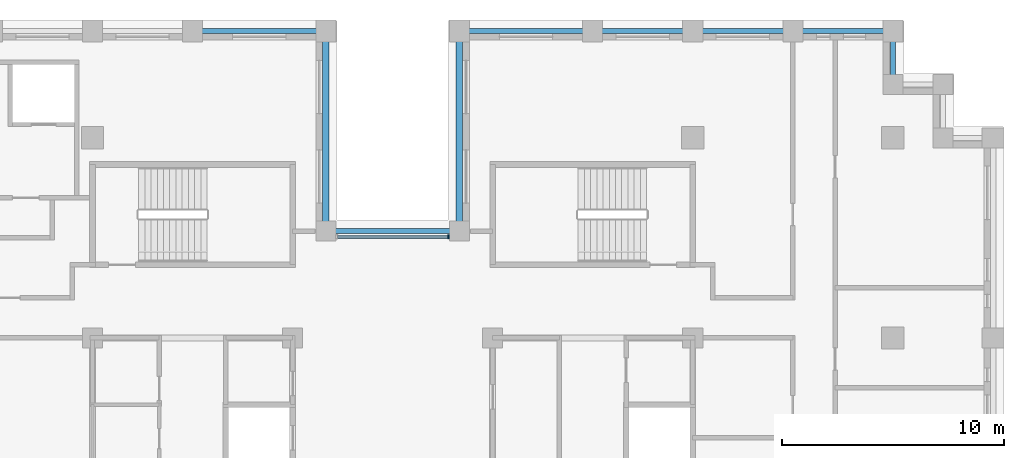
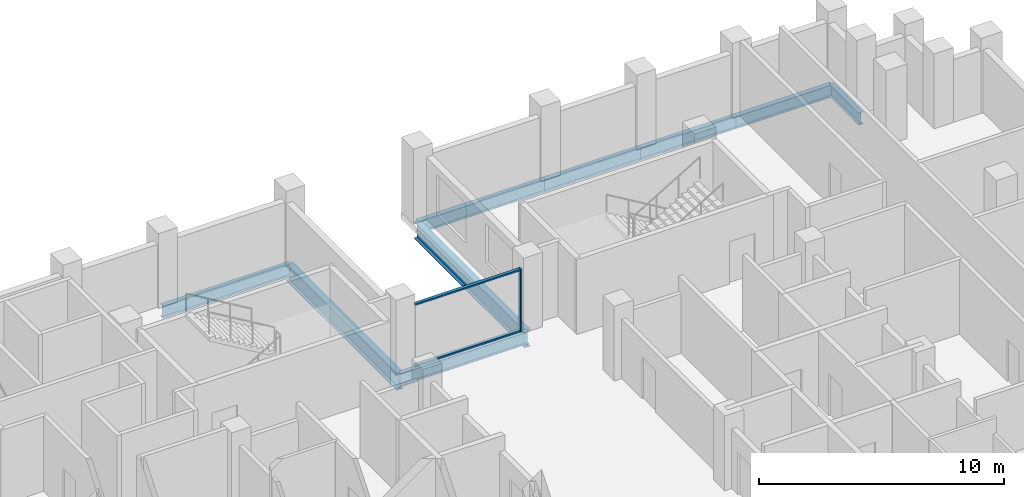
# One storey, part 4 of 15: 9 beams, 3 members, 1 element without a shape of its own.
"""IFC4 building model written with IfcOpenShell, lengths in metres."""

from ifc_helpers import new_model, si_unit, direction, frame, origin, origin_2d, place, context, subcontext, project, spatial, rectangle, i_section, extrude, material, layer, layer_set, material_profile, profile_set, type_object, element, aggregate, save


model = new_model("IFC4")

# Units and contexts
model_context = context("Model", 3, precision=1e-05, world=origin(), true_north=direction((0.0, 1.0)))
body_context = subcontext(model_context, "Body", "Model", "MODEL_VIEW")
ifc_project = project(units=[si_unit("LENGTHUNIT", "METRE"), si_unit("AREAUNIT", "SQUARE_METRE"), si_unit("VOLUMEUNIT", "CUBIC_METRE"), si_unit("PLANEANGLEUNIT", "RADIAN"), si_unit("MASSUNIT", "GRAM", prefix="KILO")], contexts=[model_context])

# Site, building, storey
site_placement = place(None, origin())
site = spatial("IfcSite", under=ifc_project, at=site_placement, CompositionType="ELEMENT")
building_placement = place(site_placement, origin())
building = spatial("IfcBuilding", under=site, at=building_placement, Name="Corbelhall Arena Tower", CompositionType="ELEMENT")
storey_placement = place(building_placement, frame((0.0, 0.0, 192.0)))
storey = spatial("IfcBuildingStorey", under=building, at=storey_placement, Name="L39", CompositionType="ELEMENT", Elevation=192.0)

# Curtain wall, members
ifc_material_1 = material(Name="Aluminium black anodised", Category="aluminium")
ifc_layer = layer(ifc_material_1, 0.199951171875)
ifc_layer_set = layer_set([ifc_layer], Name="EV-CW1 Slot back wall")
curtain_wall_type = type_object("IfcCurtainWallType", Name="EV-CW1 Slot back wall", PredefinedType="NOTDEFINED", material=ifc_layer_set)
curtain_wall_placement = place(storey_placement, origin())
curtain_wall = element("IfcCurtainWall", 1, at=curtain_wall_placement, inside=storey, type_object=curtain_wall_type, Name="Curtain wall CW1", PredefinedType="NOTDEFINED")
ifc_material_profile_1 = material_profile(ifc_material_1, rectangle(XDim=0.199951171875, YDim=0.074951171875, at=origin_2d()))
ifc_profile_set_1 = profile_set([ifc_material_profile_1], Name="Aluminium black anodised")
member_type_1 = type_object("IfcMemberType", Name="EV-CW1-MULLION", PredefinedType="MULLION", material=ifc_profile_set_1)
member_1_placement = place(storey_placement, frame((2.512451171875, 13.550048828125, 0.0), z_axis=(0.0, 0.0, 1.0), x_axis=(0.0, -1.0, 0.0)))
member_1 = element("IfcMember", 2, at=member_1_placement, type_object=member_type_1, Name="CW1 mullion 1", PredefinedType="MULLION", context=body_context, shape_type="SweptSolid", body=[
    extrude(rectangle(XDim=0.199951171875, YDim=0.074951171875, at=origin_2d()), origin(), (0.0, 0.0, 1.0), 3.1201171875),
])
ifc_material_profile_2 = material_profile(ifc_material_1, rectangle(XDim=0.14990234375, YDim=0.074951171875, at=origin_2d()))
ifc_profile_set_2 = profile_set([ifc_material_profile_2], Name="Aluminium black anodised")
member_type_2 = type_object("IfcMemberType", Name="EV-CW1-TRANSOM", PredefinedType="USERDEFINED", material=ifc_profile_set_2)
member_2_placement = place(storey_placement, frame((2.47509765625, 13.550048828125, 0.03759765625), z_axis=(-1.0, 0.0, 0.0), x_axis=(0.0, -1.0, 0.0)))
member_2 = element("IfcMember", 3, at=member_2_placement, type_object=member_type_2, Name="CW1 transom 1.1", ObjectType="transom", PredefinedType="USERDEFINED", context=body_context, shape_type="SweptSolid", body=[
    extrude(rectangle(XDim=0.14990234375, YDim=0.074951171875, at=origin_2d()), origin(), (0.0, 0.0, 1.0), 4.9501953125),
])
member_3_placement = place(storey_placement, frame((2.47509765625, 13.550048828125, 3.08251953125), z_axis=(-1.0, 0.0, 0.0), x_axis=(0.0, -1.0, 0.0)))
member_3 = element("IfcMember", 4, at=member_3_placement, type_object=member_type_2, Name="CW1 transom 1.2", ObjectType="transom", PredefinedType="USERDEFINED", context=body_context, shape_type="SweptSolid", body=[
    extrude(rectangle(XDim=0.14990234375, YDim=0.074951171875, at=origin_2d()), origin(), (0.0, 0.0, 1.0), 4.9501953125),
])
aggregate(curtain_wall, [member_1, member_2, member_3])

# Beams
ifc_material_2 = material(Name="Steel ASTM A992 Gr50", Category="steel")
ifc_material_profile_3 = material_profile(ifc_material_2, i_section(OverallWidth=0.228271484375, OverallDepth=0.607177734375, WebThickness=0.01123046875, FlangeThickness=0.017333984375, at=origin_2d()))
ifc_profile_set_3 = profile_set([ifc_material_profile_3], Name="Steel ASTM A992 Gr50")
beam_type_1 = type_object("IfcBeamType", Name="ST-SPANDREL-W24x76", PredefinedType="SPANDREL", material=ifc_profile_set_3)
beam_1_placement = place(storey_placement, frame((3.0, 22.800048828125, -0.58349609375), z_axis=(1.0, 0.0, 0.0), x_axis=(0.0, 1.0, 0.0)))
element("IfcBeam", 5, at=beam_1_placement, inside=storey, type_object=beam_type_1, Name="Beam SP 13", PredefinedType="SPANDREL", context=body_context, shape_type="SweptSolid", body=[
    extrude(i_section(OverallWidth=0.228271484375, OverallDepth=0.607177734375, WebThickness=0.01123046875, FlangeThickness=0.017333984375, at=origin_2d()), origin(), (0.0, 0.0, 1.0), 6.0),
])
for number, where, z_axis, x_axis, name in (
    (6, (9.0, 22.800048828125, -0.58349609375), (1.0, 0.0, 0.0), (0.0, 1.0, 0.0), "Beam SP 14"),
    (7, (13.5, 22.800048828125, -0.58349609375), (1.0, 0.0, 0.0), (0.0, 1.0, 0.0), "Beam SP 15"),
    (8, (18.0, 22.800048828125, -0.58349609375), (1.0, 0.0, 0.0), (0.0, 1.0, 0.0), "Beam SP 16"),
):
    element("IfcBeam", number, at=place(storey_placement, frame(where, z_axis=z_axis, x_axis=x_axis)), inside=storey, type_object=beam_type_1, Name=name, PredefinedType="SPANDREL", context=body_context, shape_type="SweptSolid", body=[
        extrude(i_section(OverallWidth=0.228271484375, OverallDepth=0.607177734375, WebThickness=0.01123046875, FlangeThickness=0.017333984375, at=origin_2d()), origin(), (0.0, 0.0, 1.0), 4.5),
    ])
beam_2_placement = place(storey_placement, frame((22.5, 22.800048828125, -0.58349609375), z_axis=(0.0, -1.0, 0.0), x_axis=(1.0, 0.0, 0.0)))
element("IfcBeam", 9, at=beam_2_placement, inside=storey, type_object=beam_type_1, Name="Beam SP 17", PredefinedType="SPANDREL", context=body_context, shape_type="SweptSolid", body=[
    extrude(i_section(OverallWidth=0.228271484375, OverallDepth=0.607177734375, WebThickness=0.01123046875, FlangeThickness=0.017333984375, at=origin_2d()), origin(), (0.0, 0.0, 1.0), 2.400146484375),
])
for number, where, z_axis, x_axis, name in (
    (10, (-9.0, 22.800048828125, -0.58349609375), (1.0, 0.0, 0.0), (0.0, 1.0, 0.0), "Beam SP 19"),
    (11, (-3.0, 13.800048828125, -0.58349609375), (1.0, 0.0, 0.0), (0.0, 1.0, 0.0), "Beam SP 36"),
):
    element("IfcBeam", number, at=place(storey_placement, frame(where, z_axis=z_axis, x_axis=x_axis)), inside=storey, type_object=beam_type_1, Name=name, PredefinedType="SPANDREL", context=body_context, shape_type="SweptSolid", body=[
        extrude(i_section(OverallWidth=0.228271484375, OverallDepth=0.607177734375, WebThickness=0.01123046875, FlangeThickness=0.017333984375, at=origin_2d()), origin(), (0.0, 0.0, 1.0), 6.0),
    ])
ifc_material_profile_4 = material_profile(ifc_material_2, i_section(OverallWidth=0.2919921875, OverallDepth=0.845703125, WebThickness=0.015380859375, FlangeThickness=0.0244140625, at=origin_2d()))
ifc_profile_set_4 = profile_set([ifc_material_profile_4], Name="Steel ASTM A992 Gr50")
beam_type_2 = type_object("IfcBeamType", Name="ST-SPANDREL-W33x141", PredefinedType="SPANDREL", material=ifc_profile_set_4)
for number, where, z_axis, x_axis, name in (
    (12, (-3.0, 22.800048828125, -0.702880859375), (0.0, -1.0, 0.0), (1.0, 0.0, 0.0), "Beam SP 18"),
    (13, (3.0, 13.800048828125, -0.702880859375), (0.0, 1.0, 0.0), (-1.0, 0.0, 0.0), "Beam SP 35"),
):
    element("IfcBeam", number, at=place(storey_placement, frame(where, z_axis=z_axis, x_axis=x_axis)), inside=storey, type_object=beam_type_2, Name=name, PredefinedType="SPANDREL", context=body_context, shape_type="SweptSolid", body=[
        extrude(i_section(OverallWidth=0.2919921875, OverallDepth=0.845703125, WebThickness=0.015380859375, FlangeThickness=0.0244140625, at=origin_2d()), origin(), (0.0, 0.0, 1.0), 9.0),
    ])

save(model, "model.ifc")
